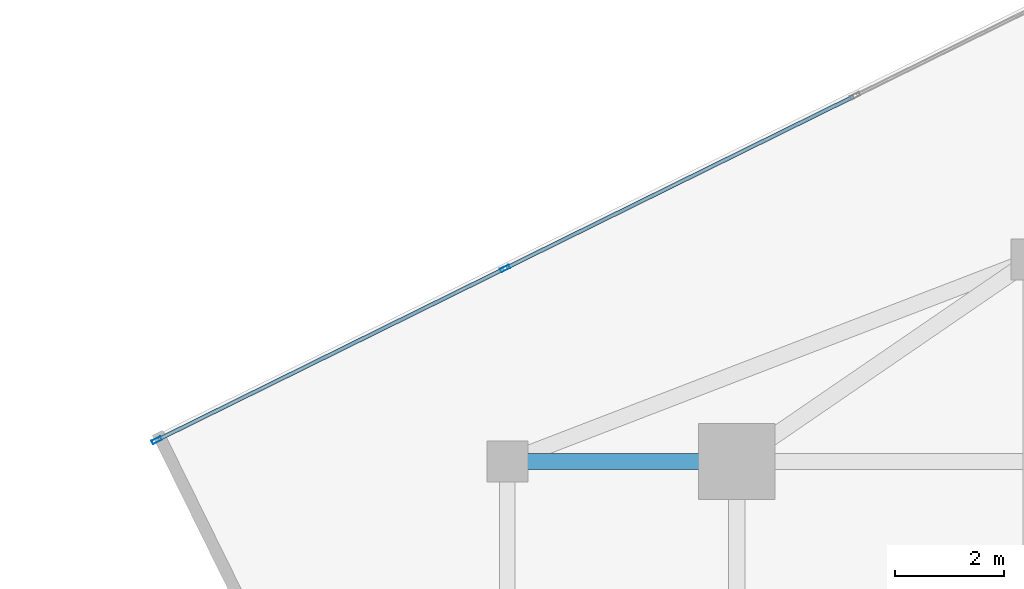
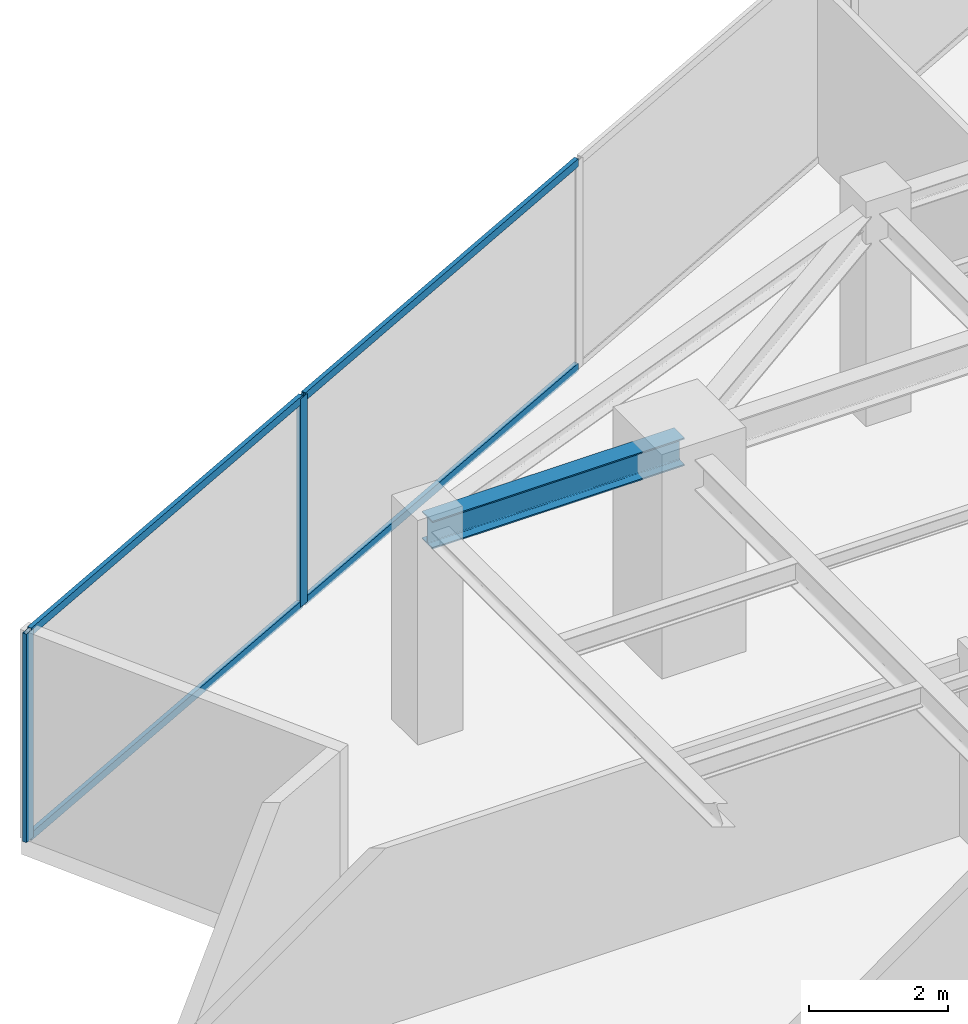
# One storey, part 12 of 22: 6 members, 1 beam, 1 element without a shape of its own.
"""IFC4 building model written with IfcOpenShell, lengths in metres."""

from ifc_helpers import new_model, si_unit, direction, frame, origin, origin_2d, place, context, subcontext, project, spatial, hollow_rectangle, i_section, extrude, source, transform, mapped, material, material_profile, profile_set, type_object, type_shapes, element, aggregate, save


model = new_model("IFC4")

# Units and contexts
model_context = context("Model", 3, precision=1e-05, world=origin(), true_north=direction((0.0, 1.0)))
body_context = subcontext(model_context, "Body", "Model", "MODEL_VIEW")
ifc_project = project(units=[si_unit("LENGTHUNIT", "METRE"), si_unit("AREAUNIT", "SQUARE_METRE"), si_unit("VOLUMEUNIT", "CUBIC_METRE"), si_unit("PLANEANGLEUNIT", "RADIAN"), si_unit("MASSUNIT", "GRAM", prefix="KILO")], contexts=[model_context])

# Site, building, storey
site_placement = place(None, origin())
site = spatial("IfcSite", under=ifc_project, at=site_placement, CompositionType="ELEMENT")
building_placement = place(site_placement, origin())
building = spatial("IfcBuilding", under=site, at=building_placement, Name="Krantzveldt Concourse Tower", CompositionType="ELEMENT")
storey_placement = place(building_placement, frame((0.0, 0.0, 310.85009765625)))
storey = spatial("IfcBuildingStorey", under=building, at=storey_placement, Name="L76", CompositionType="ELEMENT", Elevation=310.85009765625)

# Beam
ifc_material_1 = material(Name="Steel S355JR", Category="steel")
ifc_material_profile_1 = material_profile(ifc_material_1, i_section(OverallWidth=0.300048828125, OverallDepth=0.489990234375, WebThickness=0.011962890625, FlangeThickness=0.02294921875, FilletRadius=0.027099609375, at=origin_2d()), Name="Steel S355JR", Category="steel")
ifc_profile_set_1 = profile_set([ifc_material_profile_1], Name="Steel S355JR - HEA 500")
beam_type = type_object("IfcBeamType", Name="BM-B-HEA500", PredefinedType="BEAM", material=ifc_profile_set_1)
shared_shape_1 = source(origin(), body_context, "Body", "SweptSolid", [
    extrude(i_section(OverallWidth=0.300048828125, OverallDepth=0.489990234375, WebThickness=0.011962890625, FlangeThickness=0.02294921875, FilletRadius=0.027099609375, at=origin_2d()), origin(), (0.0, 0.0, 1.0), 4.199951171875),
])
type_shapes(beam_type, [shared_shape_1])
beam_placement = place(storey_placement, frame((21.0, 37.5, 3.4248046875), z_axis=(1.0, 0.0, 0.0), x_axis=(0.0, 1.0, 0.0)))
element("IfcBeam", 1, at=beam_placement, inside=storey, type_object=beam_type, Name="L76 Tower Girder BR-RL3", PredefinedType="BEAM", context=body_context, shape_type="MappedRepresentation", body=[
    mapped(shared_shape_1, transform((0.0, 0.0, 0.0), x_axis=(1.0, 0.0, 0.0), y_axis=(0.0, 1.0, 0.0), z_axis=(0.0, 0.0, 1.0), scale=1.0)),
])

# Curtain wall, members
ifc_material_2 = material(Name="Anodised aluminium 6063-T6", Category="aluminium")
curtain_wall_type = type_object("IfcCurtainWallType", Name="CW4", PredefinedType="USERDEFINED", material=ifc_material_2)
curtain_wall_placement = place(storey_placement, origin())
curtain_wall = element("IfcCurtainWall", 2, at=curtain_wall_placement, inside=storey, type_object=curtain_wall_type, Name="CW-L76-F01", ObjectType="UNITISED CURTAIN WALL", PredefinedType="USERDEFINED")
ifc_material_profile_2 = material_profile(ifc_material_2, hollow_rectangle(XDim=0.070068359375, YDim=0.179931640625, WallThickness=0.0048828125, at=origin_2d()), Name="Anodised aluminium 6063-T6", Category="aluminium")
ifc_profile_set_2 = profile_set([ifc_material_profile_2], Name="Anodised aluminium 6063-T6 - ALU-MULL 180x70x5")
member_type_1 = type_object("IfcMemberType", Name="CW-MUL-180", PredefinedType="MULLION", material=ifc_profile_set_2)
shared_shape_2 = source(origin(), body_context, "Body", "SweptSolid", [
    extrude(hollow_rectangle(XDim=0.070068359375, YDim=0.179931640625, WallThickness=0.0048828125, at=origin_2d()), origin(), (0.0, 0.0, 1.0), 3.669921875),
])
type_shapes(member_type_1, [shared_shape_2])
member_1_placement = place(storey_placement, frame((20.958251953125, 41.03564453125, 0.0), z_axis=(0.0, 0.0, 1.0), x_axis=(0.442288511927, -0.896872829457, 0.0)))
member_1 = element("IfcMember", 3, at=member_1_placement, type_object=member_type_1, Name="CW-Z56 mullion 4", PredefinedType="MULLION", context=body_context, shape_type="MappedRepresentation", body=[
    mapped(shared_shape_2, transform((0.0, 0.0, 0.0), x_axis=(1.0, 0.0, 0.0), y_axis=(0.0, 1.0, 0.0), z_axis=(0.0, 0.0, 1.0), scale=1.0)),
])
member_2_placement = place(storey_placement, frame((14.5771484375, 37.888671875, 0.0), z_axis=(0.0, 0.0, 1.0), x_axis=(0.442288511927, -0.896872829457, 0.0)))
member_2 = element("IfcMember", 4, at=member_2_placement, type_object=member_type_1, Name="CW-Z56 mullion 5", PredefinedType="MULLION", context=body_context, shape_type="MappedRepresentation", body=[
    mapped(shared_shape_2, transform((0.0, 0.0, 0.0), x_axis=(1.0, 0.0, 0.0), y_axis=(0.0, 1.0, 0.0), z_axis=(0.0, 0.0, 1.0), scale=1.0)),
])
ifc_material_profile_3 = material_profile(ifc_material_2, hollow_rectangle(XDim=0.070068359375, YDim=0.139892578125, WallThickness=0.0048828125, at=origin_2d()), Name="Anodised aluminium 6063-T6", Category="aluminium")
ifc_profile_set_3 = profile_set([ifc_material_profile_3], Name="Anodised aluminium 6063-T6 - ALU-TRAN 140x70x5")
member_type_2 = type_object("IfcMemberType", Name="CW-TRN-150", PredefinedType="USERDEFINED", material=ifc_profile_set_3)
shared_shape_3 = source(origin(), body_context, "Body", "SweptSolid", [
    extrude(hollow_rectangle(XDim=0.070068359375, YDim=0.139892578125, WallThickness=0.0048828125, at=origin_2d()), origin(), (0.0, 0.0, 1.0), 7.080078125),
])
member_3_placement = place(storey_placement, frame((27.339599609375, 44.1826171875, 0.034912109375), z_axis=(-0.896862063633, -0.442310342198, 0.0), x_axis=(0.442310342198, -0.896862063633, 0.0)))
member_3 = element("IfcMember", 5, at=member_3_placement, type_object=member_type_2, Name="CW-Z56 transom 3.1", ObjectType="TRANSOM", PredefinedType="USERDEFINED", context=body_context, shape_type="MappedRepresentation", body=[
    mapped(shared_shape_3, transform((0.0, 0.0, 0.0), x_axis=(1.0, 0.0, 0.0), y_axis=(0.0, 1.0, 0.0), z_axis=(0.0, 0.0, 1.0), scale=1.0)),
])
member_4_placement = place(storey_placement, frame((27.339599609375, 44.1826171875, 3.635009765625), z_axis=(-0.896862063633, -0.442310342198, 0.0), x_axis=(0.442310342198, -0.896862063633, 0.0)))
member_4 = element("IfcMember", 6, at=member_4_placement, type_object=member_type_2, Name="CW-Z56 transom 3.2", ObjectType="TRANSOM", PredefinedType="USERDEFINED", context=body_context, shape_type="MappedRepresentation", body=[
    mapped(shared_shape_3, transform((0.0, 0.0, 0.0), x_axis=(1.0, 0.0, 0.0), y_axis=(0.0, 1.0, 0.0), z_axis=(0.0, 0.0, 1.0), scale=1.0)),
])
shared_shape_4 = source(origin(), body_context, "Body", "SweptSolid", [
    extrude(hollow_rectangle(XDim=0.070068359375, YDim=0.139892578125, WallThickness=0.0048828125, at=origin_2d()), origin(), (0.0, 0.0, 1.0), 7.045166015625),
])
type_shapes(member_type_2, [shared_shape_3, shared_shape_4])
member_5_placement = place(storey_placement, frame((20.927001953125, 41.020263671875, 0.034912109375), z_axis=(-0.896874071777, -0.44228599274, 0.0), x_axis=(0.44228599274, -0.896874071777, 0.0)))
member_5 = element("IfcMember", 7, at=member_5_placement, type_object=member_type_2, Name="CW-Z56 transom 4.1", ObjectType="TRANSOM", PredefinedType="USERDEFINED", context=body_context, shape_type="MappedRepresentation", body=[
    mapped(shared_shape_4, transform((0.0, 0.0, 0.0), x_axis=(1.0, 0.0, 0.0), y_axis=(0.0, 1.0, 0.0), z_axis=(0.0, 0.0, 1.0), scale=1.0)),
])
member_6_placement = place(storey_placement, frame((20.927001953125, 41.020263671875, 3.635009765625), z_axis=(-0.896874071777, -0.44228599274, 0.0), x_axis=(0.44228599274, -0.896874071777, 0.0)))
member_6 = element("IfcMember", 8, at=member_6_placement, type_object=member_type_2, Name="CW-Z56 transom 4.2", ObjectType="TRANSOM", PredefinedType="USERDEFINED", context=body_context, shape_type="MappedRepresentation", body=[
    mapped(shared_shape_4, transform((0.0, 0.0, 0.0), x_axis=(1.0, 0.0, 0.0), y_axis=(0.0, 1.0, 0.0), z_axis=(0.0, 0.0, 1.0), scale=1.0)),
])
aggregate(curtain_wall, [member_1, member_2, member_3, member_4, member_5, member_6])

save(model, "model.ifc")
